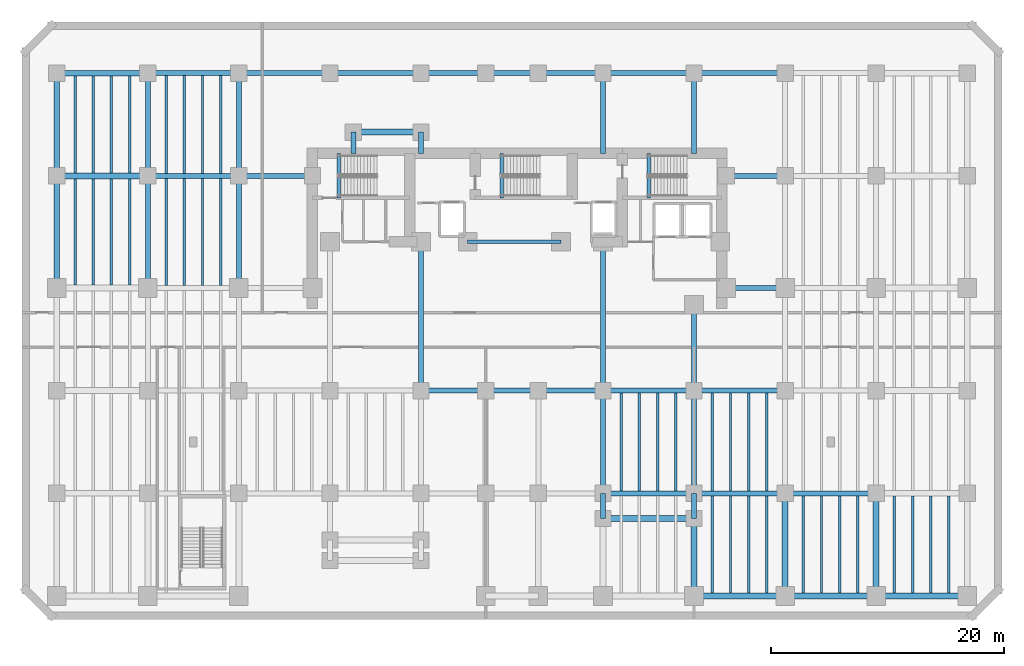
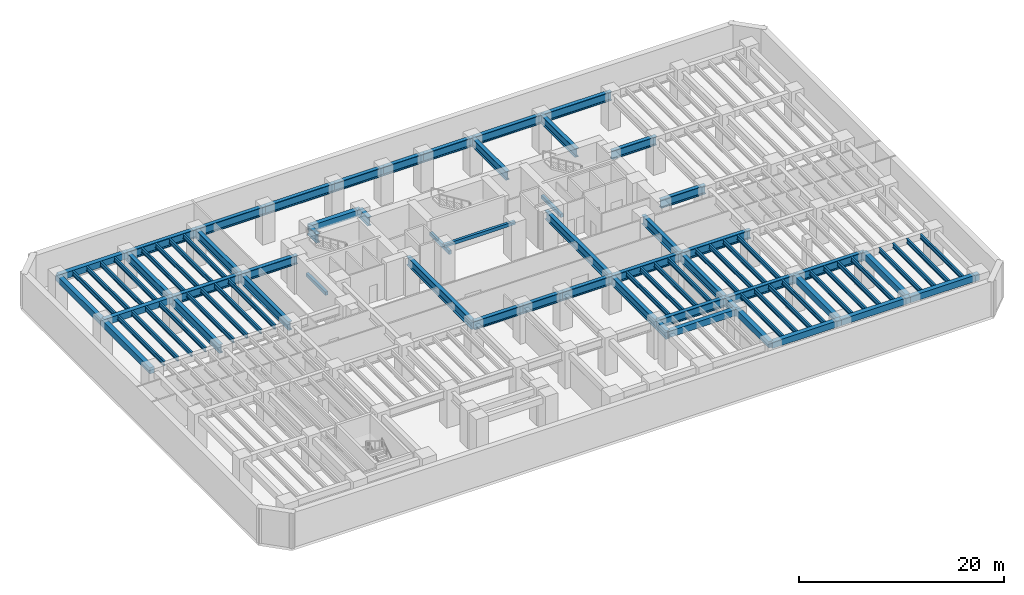
# One storey, part 2 of 9: 87 beams.
"""IFC4 building model written with IfcOpenShell, lengths in metres."""

from ifc_helpers import new_model, si_unit, direction, frame, origin, origin_2d, place, context, subcontext, project, spatial, rectangle, i_section, extrude, material, material_profile, profile_set, type_object, element, save


model = new_model("IFC4")

# Units and contexts
model_context = context("Model", 3, precision=1e-05, world=origin(), true_north=direction((0.0, 1.0)))
body_context = subcontext(model_context, "Body", "Model", "MODEL_VIEW")
ifc_project = project(units=[si_unit("LENGTHUNIT", "METRE"), si_unit("AREAUNIT", "SQUARE_METRE"), si_unit("VOLUMEUNIT", "CUBIC_METRE"), si_unit("PLANEANGLEUNIT", "RADIAN"), si_unit("MASSUNIT", "GRAM", prefix="KILO")], contexts=[model_context])

# Site, building, storey
site_placement = place(None, origin())
site = spatial("IfcSite", under=ifc_project, at=site_placement, CompositionType="ELEMENT")
building_placement = place(site_placement, origin())
building = spatial("IfcBuilding", under=site, at=building_placement, Name="Kestravale Grand Hotel", CompositionType="ELEMENT")
storey_placement = place(building_placement, frame((0.0, 0.0, -4.5)))
storey = spatial("IfcBuildingStorey", under=building, at=storey_placement, Name="B1", CompositionType="ELEMENT", Elevation=-4.5)

# Beams
ifc_material_1 = material(Name="Steel ASTM A992 Grade 50", Category="steel")
ifc_material_profile_1 = material_profile(ifc_material_1, i_section(OverallWidth=0.2099609375, OverallDepth=0.535888671875, WebThickness=0.010986328125, FlangeThickness=0.017333984375, FilletRadius=0.017578125, at=origin_2d()))
ifc_profile_set_1 = profile_set([ifc_material_profile_1], Name="Steel ASTM A992 Grade 50")
beam_type_1 = type_object("IfcBeamType", Name="B-FLR-JST21", PredefinedType="JOIST", material=ifc_profile_set_1)
for number, where, z_axis, x_axis, name in (
    (1, (1.56005859375, 29.050048828125, 3.882080078125), (0.0, 1.0, 0.0), (-1.0, 0.0, 0.0), "B1 floor joist 1-2/E-F #1"),
    (2, (3.1201171875, 29.050048828125, 3.882080078125), (0.0, 1.0, 0.0), (-1.0, 0.0, 0.0), "B1 floor joist 1-2/E-F #2"),
    (3, (4.679931640625, 29.050048828125, 3.882080078125), (0.0, 1.0, 0.0), (-1.0, 0.0, 0.0), "B1 floor joist 1-2/E-F #3"),
    (4, (6.239990234375, 29.050048828125, 3.882080078125), (0.0, 1.0, 0.0), (-1.0, 0.0, 0.0), "B1 floor joist 1-2/E-F #4"),
):
    element("IfcBeam", number, at=place(storey_placement, frame(where, z_axis=z_axis, x_axis=x_axis)), inside=storey, type_object=beam_type_1, Name=name, PredefinedType="JOIST", context=body_context, shape_type="SweptSolid", body=[
        extrude(i_section(OverallWidth=0.2099609375, OverallDepth=0.535888671875, WebThickness=0.010986328125, FlangeThickness=0.017333984375, FilletRadius=0.017578125, at=origin_2d()), origin(), (0.0, 0.0, 1.0), 9.099853515625),
    ])
for number, where, z_axis, x_axis, name in (
    (5, (1.56005859375, 38.64990234375, 3.882080078125), (0.0, 1.0, 0.0), (-1.0, 0.0, 0.0), "B1 floor joist 1-2/F-G #1"),
    (6, (3.1201171875, 38.64990234375, 3.882080078125), (0.0, 1.0, 0.0), (-1.0, 0.0, 0.0), "B1 floor joist 1-2/F-G #2"),
    (7, (4.679931640625, 38.64990234375, 3.882080078125), (0.0, 1.0, 0.0), (-1.0, 0.0, 0.0), "B1 floor joist 1-2/F-G #3"),
    (8, (6.239990234375, 38.64990234375, 3.882080078125), (0.0, 1.0, 0.0), (-1.0, 0.0, 0.0), "B1 floor joist 1-2/F-G #4"),
):
    element("IfcBeam", number, at=place(storey_placement, frame(where, z_axis=z_axis, x_axis=x_axis)), inside=storey, type_object=beam_type_1, Name=name, PredefinedType="JOIST", context=body_context, shape_type="SweptSolid", body=[
        extrude(i_section(OverallWidth=0.2099609375, OverallDepth=0.535888671875, WebThickness=0.010986328125, FlangeThickness=0.017333984375, FilletRadius=0.017578125, at=origin_2d()), origin(), (0.0, 0.0, 1.0), 8.300048828125),
    ])
for number, where, z_axis, x_axis, name in (
    (9, (9.360107421875, 29.013427734375, 3.882080078125), (0.0, 1.0, 0.0), (-1.0, 0.0, 0.0), "B1 floor joist 2-3/E-F #1"),
    (10, (10.919921875, 29.013427734375, 3.882080078125), (0.0, 1.0, 0.0), (-1.0, 0.0, 0.0), "B1 floor joist 2-3/E-F #2"),
    (11, (12.47998046875, 29.013427734375, 3.882080078125), (0.0, 1.0, 0.0), (-1.0, 0.0, 0.0), "B1 floor joist 2-3/E-F #3"),
    (12, (14.0400390625, 29.013427734375, 3.882080078125), (0.0, 1.0, 0.0), (-1.0, 0.0, 0.0), "B1 floor joist 2-3/E-F #4"),
):
    element("IfcBeam", number, at=place(storey_placement, frame(where, z_axis=z_axis, x_axis=x_axis)), inside=storey, type_object=beam_type_1, Name=name, PredefinedType="JOIST", context=body_context, shape_type="SweptSolid", body=[
        extrude(i_section(OverallWidth=0.2099609375, OverallDepth=0.535888671875, WebThickness=0.010986328125, FlangeThickness=0.017333984375, FilletRadius=0.017578125, at=origin_2d()), origin(), (0.0, 0.0, 1.0), 9.173095703125),
    ])
for number, where, z_axis, x_axis, name in (
    (13, (9.360107421875, 38.613525390625, 3.882080078125), (0.0, 1.0, 0.0), (-1.0, 0.0, 0.0), "B1 floor joist 2-3/F-G #1"),
    (14, (10.919921875, 38.613525390625, 3.882080078125), (0.0, 1.0, 0.0), (-1.0, 0.0, 0.0), "B1 floor joist 2-3/F-G #2"),
    (15, (12.47998046875, 38.613525390625, 3.882080078125), (0.0, 1.0, 0.0), (-1.0, 0.0, 0.0), "B1 floor joist 2-3/F-G #3"),
    (16, (14.0400390625, 38.613525390625, 3.882080078125), (0.0, 1.0, 0.0), (-1.0, 0.0, 0.0), "B1 floor joist 2-3/F-G #4"),
    (17, (48.360107421875, 11.41357421875, 3.882080078125), (0.0, 1.0, 0.0), (-1.0, 0.0, 0.0), "B1 floor joist 8-9/C-D #1"),
    (18, (49.919921875, 11.41357421875, 3.882080078125), (0.0, 1.0, 0.0), (-1.0, 0.0, 0.0), "B1 floor joist 8-9/C-D #2"),
    (19, (51.47998046875, 11.41357421875, 3.882080078125), (0.0, 1.0, 0.0), (-1.0, 0.0, 0.0), "B1 floor joist 8-9/C-D #3"),
    (20, (53.0400390625, 11.41357421875, 3.882080078125), (0.0, 1.0, 0.0), (-1.0, 0.0, 0.0), "B1 floor joist 8-9/C-D #4"),
):
    element("IfcBeam", number, at=place(storey_placement, frame(where, z_axis=z_axis, x_axis=x_axis)), inside=storey, type_object=beam_type_1, Name=name, PredefinedType="JOIST", context=body_context, shape_type="SweptSolid", body=[
        extrude(i_section(OverallWidth=0.2099609375, OverallDepth=0.535888671875, WebThickness=0.010986328125, FlangeThickness=0.017333984375, FilletRadius=0.017578125, at=origin_2d()), origin(), (0.0, 0.0, 1.0), 8.373046875),
    ])
for number, where, z_axis, x_axis, name in (
    (21, (56.159912109375, 2.64990234375, 3.882080078125), (0.0, 1.0, 0.0), (-1.0, 0.0, 0.0), "B1 floor joist 9-10/B-C #1"),
    (22, (57.719970703125, 2.64990234375, 3.882080078125), (0.0, 1.0, 0.0), (-1.0, 0.0, 0.0), "B1 floor joist 9-10/B-C #2"),
    (23, (59.280029296875, 2.64990234375, 3.882080078125), (0.0, 1.0, 0.0), (-1.0, 0.0, 0.0), "B1 floor joist 9-10/B-C #3"),
    (24, (60.840087890625, 2.64990234375, 3.882080078125), (0.0, 1.0, 0.0), (-1.0, 0.0, 0.0), "B1 floor joist 9-10/B-C #4"),
):
    element("IfcBeam", number, at=place(storey_placement, frame(where, z_axis=z_axis, x_axis=x_axis)), inside=storey, type_object=beam_type_1, Name=name, PredefinedType="JOIST", context=body_context, shape_type="SweptSolid", body=[
        extrude(i_section(OverallWidth=0.2099609375, OverallDepth=0.535888671875, WebThickness=0.010986328125, FlangeThickness=0.017333984375, FilletRadius=0.017578125, at=origin_2d()), origin(), (0.0, 0.0, 1.0), 8.336669921875),
    ])
for number, where, z_axis, x_axis, name in (
    (25, (56.159912109375, 11.41357421875, 3.882080078125), (0.0, 1.0, 0.0), (-1.0, 0.0, 0.0), "B1 floor joist 9-10/C-D #1"),
    (26, (57.719970703125, 11.41357421875, 3.882080078125), (0.0, 1.0, 0.0), (-1.0, 0.0, 0.0), "B1 floor joist 9-10/C-D #2"),
    (27, (59.280029296875, 11.41357421875, 3.882080078125), (0.0, 1.0, 0.0), (-1.0, 0.0, 0.0), "B1 floor joist 9-10/C-D #3"),
    (28, (60.840087890625, 11.41357421875, 3.882080078125), (0.0, 1.0, 0.0), (-1.0, 0.0, 0.0), "B1 floor joist 9-10/C-D #4"),
):
    element("IfcBeam", number, at=place(storey_placement, frame(where, z_axis=z_axis, x_axis=x_axis)), inside=storey, type_object=beam_type_1, Name=name, PredefinedType="JOIST", context=body_context, shape_type="SweptSolid", body=[
        extrude(i_section(OverallWidth=0.2099609375, OverallDepth=0.535888671875, WebThickness=0.010986328125, FlangeThickness=0.017333984375, FilletRadius=0.017578125, at=origin_2d()), origin(), (0.0, 0.0, 1.0), 8.373046875),
    ])
for number, where, z_axis, x_axis, name in (
    (29, (63.9599609375, 2.64990234375, 3.882080078125), (0.0, 1.0, 0.0), (-1.0, 0.0, 0.0), "B1 floor joist 10-11/B-C #1"),
    (30, (65.52001953125, 2.64990234375, 3.882080078125), (0.0, 1.0, 0.0), (-1.0, 0.0, 0.0), "B1 floor joist 10-11/B-C #2"),
    (31, (67.080078125, 2.64990234375, 3.882080078125), (0.0, 1.0, 0.0), (-1.0, 0.0, 0.0), "B1 floor joist 10-11/B-C #3"),
    (32, (68.639892578125, 2.64990234375, 3.882080078125), (0.0, 1.0, 0.0), (-1.0, 0.0, 0.0), "B1 floor joist 10-11/B-C #4"),
):
    element("IfcBeam", number, at=place(storey_placement, frame(where, z_axis=z_axis, x_axis=x_axis)), inside=storey, type_object=beam_type_1, Name=name, PredefinedType="JOIST", context=body_context, shape_type="SweptSolid", body=[
        extrude(i_section(OverallWidth=0.2099609375, OverallDepth=0.535888671875, WebThickness=0.010986328125, FlangeThickness=0.017333984375, FilletRadius=0.017578125, at=origin_2d()), origin(), (0.0, 0.0, 1.0), 8.336669921875),
    ])
for number, where, z_axis, x_axis, name in (
    (33, (71.760009765625, 2.64990234375, 3.882080078125), (0.0, 1.0, 0.0), (-1.0, 0.0, 0.0), "B1 floor joist 11-12/B-C #1"),
    (34, (73.320068359375, 2.64990234375, 3.882080078125), (0.0, 1.0, 0.0), (-1.0, 0.0, 0.0), "B1 floor joist 11-12/B-C #2"),
    (35, (74.8798828125, 2.64990234375, 3.882080078125), (0.0, 1.0, 0.0), (-1.0, 0.0, 0.0), "B1 floor joist 11-12/B-C #3"),
    (36, (76.43994140625, 2.64990234375, 3.882080078125), (0.0, 1.0, 0.0), (-1.0, 0.0, 0.0), "B1 floor joist 11-12/B-C #4"),
):
    element("IfcBeam", number, at=place(storey_placement, frame(where, z_axis=z_axis, x_axis=x_axis)), inside=storey, type_object=beam_type_1, Name=name, PredefinedType="JOIST", context=body_context, shape_type="SweptSolid", body=[
        extrude(i_section(OverallWidth=0.2099609375, OverallDepth=0.535888671875, WebThickness=0.010986328125, FlangeThickness=0.017333984375, FilletRadius=0.017578125, at=origin_2d()), origin(), (0.0, 0.0, 1.0), 8.300048828125),
    ])
ifc_material_2 = material(Name="Concrete f'c 45 MPa", Category="concrete")
ifc_material_profile_2 = material_profile(ifc_material_2, rectangle(XDim=0.300048828125, YDim=0.39990234375, at=origin_2d()))
ifc_profile_set_2 = profile_set([ifc_material_profile_2], Name="Concrete f'c 45 MPa")
beam_type_2 = type_object("IfcBeamType", Name="B-FLR-LNT400", PredefinedType="LINTEL", material=ifc_profile_set_2)
beam_1_placement = place(storey_placement, frame((35.199951171875, 32.75, 3.949951171875), z_axis=(1.0, 0.0, 0.0), x_axis=(0.0, 1.0, 0.0)))
element("IfcBeam", 37, at=beam_1_placement, inside=storey, type_object=beam_type_2, Name="B1 core portal header lintel", PredefinedType="LINTEL", context=body_context, shape_type="SweptSolid", body=[
    extrude(rectangle(XDim=0.300048828125, YDim=0.39990234375, at=origin_2d()), origin(), (0.0, 0.0, 1.0), 8.0),
])
for number, where, z_axis, x_axis, name in (
    (38, (24.159912109375, 36.52001953125, -0.199951171875), (0.0, 1.0, 0.0), (-1.0, 0.0, 0.0), "B1 ST1 flight bottom header beam"),
    (39, (38.110107421875, 36.52001953125, -0.199951171875), (0.0, 1.0, 0.0), (-1.0, 0.0, 0.0), "B1 ST2 flight bottom header beam"),
    (40, (50.7099609375, 36.52001953125, -0.199951171875), (0.0, 1.0, 0.0), (-1.0, 0.0, 0.0), "B1 ST3 flight bottom header beam"),
):
    element("IfcBeam", number, at=place(storey_placement, frame(where, z_axis=z_axis, x_axis=x_axis)), inside=storey, type_object=beam_type_2, Name=name, PredefinedType="LINTEL", context=body_context, shape_type="SweptSolid", body=[
        extrude(rectangle(XDim=0.300048828125, YDim=0.39990234375, at=origin_2d()), origin(), (0.0, 0.0, 1.0), 3.800048828125),
    ])
ifc_material_3 = material(Name="Concrete f'c 45 MPa", Category="concrete")
ifc_material_profile_3 = material_profile(ifc_material_3, rectangle(XDim=0.5, YDim=0.75, at=origin_2d()))
ifc_profile_set_3 = profile_set([ifc_material_profile_3], Name="Concrete f'c 45 MPa")
beam_type_3 = type_object("IfcBeamType", Name="B-FLR-RC750", PredefinedType="SPANDREL", material=ifc_profile_set_3)
beam_2_placement = place(storey_placement, frame((54.60009765625, 2.39990234375, 3.77490234375), z_axis=(1.0, 0.0, 0.0), x_axis=(0.0, 1.0, 0.0)))
element("IfcBeam", 41, at=beam_2_placement, inside=storey, type_object=beam_type_3, Name="B1 spandrel B:9-10", PredefinedType="SPANDREL", context=body_context, shape_type="SweptSolid", body=[
    extrude(rectangle(XDim=0.5, YDim=0.75, at=origin_2d()), origin(), (0.0, 0.0, 1.0), 7.7998046875),
])
for number, where, z_axis, x_axis, name in (
    (42, (62.39990234375, 2.39990234375, 3.77490234375), (1.0, 0.0, 0.0), (0.0, 1.0, 0.0), "B1 spandrel B:10-11"),
    (43, (70.199951171875, 2.39990234375, 3.77490234375), (1.0, 0.0, 0.0), (0.0, 1.0, 0.0), "B1 spandrel B:11-12"),
    (44, (0.0, 38.39990234375, 3.77490234375), (1.0, 0.0, 0.0), (0.0, 1.0, 0.0), "B1 spandrel F:1-2"),
    (45, (0.0, 47.199951171875, 3.77490234375), (1.0, 0.0, 0.0), (0.0, 1.0, 0.0), "B1 spandrel G:1-2"),
    (46, (46.800048828125, 9.050048828125, 3.77490234375), (1.0, 0.0, 0.0), (0.0, 1.0, 0.0), "B1 perimeter tie spandrel B1E:8-9"),
):
    element("IfcBeam", number, at=place(storey_placement, frame(where, z_axis=z_axis, x_axis=x_axis)), inside=storey, type_object=beam_type_3, Name=name, PredefinedType="SPANDREL", context=body_context, shape_type="SweptSolid", body=[
        extrude(rectangle(XDim=0.5, YDim=0.75, at=origin_2d()), origin(), (0.0, 0.0, 1.0), 7.800048828125),
    ])
beam_3_placement = place(storey_placement, frame((25.39990234375, 42.14990234375, 3.77490234375), z_axis=(1.0, 0.0, 0.0), x_axis=(0.0, 1.0, 0.0)))
element("IfcBeam", 47, at=beam_3_placement, inside=storey, type_object=beam_type_3, Name="B1 perimeter tie spandrel FN:4-5", PredefinedType="SPANDREL", context=body_context, shape_type="SweptSolid", body=[
    extrude(rectangle(XDim=0.5, YDim=0.75, at=origin_2d()), origin(), (0.0, 0.0, 1.0), 5.800048828125),
])
beam_4_placement = place(storey_placement, frame((0.0, 28.800048828125, 3.77490234375), z_axis=(0.0, 1.0, 0.0), x_axis=(-1.0, 0.0, 0.0)))
element("IfcBeam", 48, at=beam_4_placement, inside=storey, type_object=beam_type_3, Name="B1 spandrel 1:E-F", PredefinedType="SPANDREL", context=body_context, shape_type="SweptSolid", body=[
    extrude(rectangle(XDim=0.5, YDim=0.75, at=origin_2d()), origin(), (0.0, 0.0, 1.0), 9.599853515625),
])
beam_5_placement = place(storey_placement, frame((0.0, 38.39990234375, 3.77490234375), z_axis=(0.0, 1.0, 0.0), x_axis=(-1.0, 0.0, 0.0)))
element("IfcBeam", 49, at=beam_5_placement, inside=storey, type_object=beam_type_3, Name="B1 spandrel 1:F-G", PredefinedType="SPANDREL", context=body_context, shape_type="SweptSolid", body=[
    extrude(rectangle(XDim=0.5, YDim=0.75, at=origin_2d()), origin(), (0.0, 0.0, 1.0), 8.800048828125),
])
beam_6_placement = place(storey_placement, frame((54.60009765625, 2.39990234375, 3.77490234375), z_axis=(0.0, 1.0, 0.0), x_axis=(-1.0, 0.0, 0.0)))
element("IfcBeam", 50, at=beam_6_placement, inside=storey, type_object=beam_type_3, Name="B1 spandrel 9:B-B1E", PredefinedType="SPANDREL", context=body_context, shape_type="SweptSolid", body=[
    extrude(rectangle(XDim=0.5, YDim=0.75, at=origin_2d()), origin(), (0.0, 0.0, 1.0), 6.650146484375),
])
for number, where, z_axis, x_axis, name in (
    (51, (62.39990234375, 2.39990234375, 3.77490234375), (0.0, 1.0, 0.0), (-1.0, 0.0, 0.0), "B1 spandrel 10:B-C"),
    (52, (70.199951171875, 2.39990234375, 3.77490234375), (0.0, 1.0, 0.0), (-1.0, 0.0, 0.0), "B1 spandrel 11:B-C"),
):
    element("IfcBeam", number, at=place(storey_placement, frame(where, z_axis=z_axis, x_axis=x_axis)), inside=storey, type_object=beam_type_3, Name=name, PredefinedType="SPANDREL", context=body_context, shape_type="SweptSolid", body=[
        extrude(rectangle(XDim=0.5, YDim=0.75, at=origin_2d()), origin(), (0.0, 0.0, 1.0), 8.800048828125),
    ])
ifc_material_4 = material(Name="Steel ASTM A992 Grade 50", Category="steel")
ifc_material_profile_4 = material_profile(ifc_material_4, i_section(OverallWidth=0.427001953125, OverallDepth=1.0400390625, WebThickness=0.031005859375, FlangeThickness=0.055908203125, FilletRadius=0.028076171875, at=origin_2d()))
ifc_profile_set_4 = profile_set([ifc_material_profile_4], Name="Steel ASTM A992 Grade 50")
beam_type_4 = type_object("IfcBeamType", Name="B-GRD-W40", PredefinedType="BEAM", material=ifc_profile_set_4)
beam_7_placement = place(storey_placement, frame((46.800048828125, 11.199951171875, 3.6298828125), z_axis=(1.0, 0.0, 0.0), x_axis=(0.0, 1.0, 0.0)))
element("IfcBeam", 53, at=beam_7_placement, inside=storey, type_object=beam_type_4, Name="B1 girder C:8-9", PredefinedType="BEAM", context=body_context, shape_type="SweptSolid", body=[
    extrude(i_section(OverallWidth=0.427001953125, OverallDepth=1.0400390625, WebThickness=0.031005859375, FlangeThickness=0.055908203125, FilletRadius=0.028076171875, at=origin_2d()), origin(), (0.0, 0.0, 1.0), 7.800048828125),
])
beam_8_placement = place(storey_placement, frame((54.60009765625, 11.199951171875, 3.6298828125), z_axis=(1.0, 0.0, 0.0), x_axis=(0.0, 1.0, 0.0)))
element("IfcBeam", 54, at=beam_8_placement, inside=storey, type_object=beam_type_4, Name="B1 girder C:9-10", PredefinedType="BEAM", context=body_context, shape_type="SweptSolid", body=[
    extrude(i_section(OverallWidth=0.427001953125, OverallDepth=1.0400390625, WebThickness=0.031005859375, FlangeThickness=0.055908203125, FilletRadius=0.028076171875, at=origin_2d()), origin(), (0.0, 0.0, 1.0), 7.7998046875),
])
beam_9_placement = place(storey_placement, frame((62.39990234375, 11.199951171875, 3.6298828125), z_axis=(1.0, 0.0, 0.0), x_axis=(0.0, 1.0, 0.0)))
element("IfcBeam", 55, at=beam_9_placement, inside=storey, type_object=beam_type_4, Name="B1 girder C:10-11", PredefinedType="BEAM", context=body_context, shape_type="SweptSolid", body=[
    extrude(i_section(OverallWidth=0.427001953125, OverallDepth=1.0400390625, WebThickness=0.031005859375, FlangeThickness=0.055908203125, FilletRadius=0.028076171875, at=origin_2d()), origin(), (0.0, 0.0, 1.0), 7.800048828125),
])
beam_10_placement = place(storey_placement, frame((31.199951171875, 20.0, 3.6298828125), z_axis=(1.0, 0.0, 0.0), x_axis=(0.0, 1.0, 0.0)))
element("IfcBeam", 56, at=beam_10_placement, inside=storey, type_object=beam_type_4, Name="B1 girder D:5-6", PredefinedType="BEAM", context=body_context, shape_type="SweptSolid", body=[
    extrude(i_section(OverallWidth=0.427001953125, OverallDepth=1.0400390625, WebThickness=0.031005859375, FlangeThickness=0.055908203125, FilletRadius=0.028076171875, at=origin_2d()), origin(), (0.0, 0.0, 1.0), 5.550048828125),
])
beam_11_placement = place(storey_placement, frame((36.75, 20.0, 3.6298828125), z_axis=(1.0, 0.0, 0.0), x_axis=(0.0, 1.0, 0.0)))
element("IfcBeam", 57, at=beam_11_placement, inside=storey, type_object=beam_type_4, Name="B1 girder D:6-7", PredefinedType="BEAM", context=body_context, shape_type="SweptSolid", body=[
    extrude(i_section(OverallWidth=0.427001953125, OverallDepth=1.0400390625, WebThickness=0.031005859375, FlangeThickness=0.055908203125, FilletRadius=0.028076171875, at=origin_2d()), origin(), (0.0, 0.0, 1.0), 4.5),
])
beam_12_placement = place(storey_placement, frame((41.25, 20.0, 3.6298828125), z_axis=(1.0, 0.0, 0.0), x_axis=(0.0, 1.0, 0.0)))
element("IfcBeam", 58, at=beam_12_placement, inside=storey, type_object=beam_type_4, Name="B1 girder D:7-8", PredefinedType="BEAM", context=body_context, shape_type="SweptSolid", body=[
    extrude(i_section(OverallWidth=0.427001953125, OverallDepth=1.0400390625, WebThickness=0.031005859375, FlangeThickness=0.055908203125, FilletRadius=0.028076171875, at=origin_2d()), origin(), (0.0, 0.0, 1.0), 5.550048828125),
])
beam_13_placement = place(storey_placement, frame((46.800048828125, 20.0, 3.6298828125), z_axis=(1.0, 0.0, 0.0), x_axis=(0.0, 1.0, 0.0)))
element("IfcBeam", 59, at=beam_13_placement, inside=storey, type_object=beam_type_4, Name="B1 girder D:8-9", PredefinedType="BEAM", context=body_context, shape_type="SweptSolid", body=[
    extrude(i_section(OverallWidth=0.427001953125, OverallDepth=1.0400390625, WebThickness=0.031005859375, FlangeThickness=0.055908203125, FilletRadius=0.028076171875, at=origin_2d()), origin(), (0.0, 0.0, 1.0), 7.800048828125),
])
beam_14_placement = place(storey_placement, frame((54.60009765625, 20.0, 3.6298828125), z_axis=(1.0, 0.0, 0.0), x_axis=(0.0, 1.0, 0.0)))
element("IfcBeam", 60, at=beam_14_placement, inside=storey, type_object=beam_type_4, Name="B1 girder D:9-10", PredefinedType="BEAM", context=body_context, shape_type="SweptSolid", body=[
    extrude(i_section(OverallWidth=0.427001953125, OverallDepth=1.0400390625, WebThickness=0.031005859375, FlangeThickness=0.055908203125, FilletRadius=0.028076171875, at=origin_2d()), origin(), (0.0, 0.0, 1.0), 7.7998046875),
])
beam_15_placement = place(storey_placement, frame((57.35009765625, 28.800048828125, 3.6298828125), z_axis=(1.0, 0.0, 0.0), x_axis=(0.0, 1.0, 0.0)))
element("IfcBeam", 61, at=beam_15_placement, inside=storey, type_object=beam_type_4, Name="B1 girder E:CE-10", PredefinedType="BEAM", context=body_context, shape_type="SweptSolid", body=[
    extrude(i_section(OverallWidth=0.427001953125, OverallDepth=1.0400390625, WebThickness=0.031005859375, FlangeThickness=0.055908203125, FilletRadius=0.028076171875, at=origin_2d()), origin(), (0.0, 0.0, 1.0), 5.0498046875),
])
beam_16_placement = place(storey_placement, frame((7.800048828125, 38.39990234375, 3.6298828125), z_axis=(1.0, 0.0, 0.0), x_axis=(0.0, 1.0, 0.0)))
element("IfcBeam", 62, at=beam_16_placement, inside=storey, type_object=beam_type_4, Name="B1 girder F:2-3", PredefinedType="BEAM", context=body_context, shape_type="SweptSolid", body=[
    extrude(i_section(OverallWidth=0.427001953125, OverallDepth=1.0400390625, WebThickness=0.031005859375, FlangeThickness=0.055908203125, FilletRadius=0.028076171875, at=origin_2d()), origin(), (0.0, 0.0, 1.0), 7.800048828125),
])
beam_17_placement = place(storey_placement, frame((15.60009765625, 38.39990234375, 3.6298828125), z_axis=(1.0, 0.0, 0.0), x_axis=(0.0, 1.0, 0.0)))
element("IfcBeam", 63, at=beam_17_placement, inside=storey, type_object=beam_type_4, Name="B1 girder F:3-CW", PredefinedType="BEAM", context=body_context, shape_type="SweptSolid", body=[
    extrude(i_section(OverallWidth=0.427001953125, OverallDepth=1.0400390625, WebThickness=0.031005859375, FlangeThickness=0.055908203125, FilletRadius=0.028076171875, at=origin_2d()), origin(), (0.0, 0.0, 1.0), 6.2998046875),
])
beam_18_placement = place(storey_placement, frame((57.35009765625, 38.39990234375, 3.6298828125), z_axis=(1.0, 0.0, 0.0), x_axis=(0.0, 1.0, 0.0)))
element("IfcBeam", 64, at=beam_18_placement, inside=storey, type_object=beam_type_4, Name="B1 girder F:CE-10", PredefinedType="BEAM", context=body_context, shape_type="SweptSolid", body=[
    extrude(i_section(OverallWidth=0.427001953125, OverallDepth=1.0400390625, WebThickness=0.031005859375, FlangeThickness=0.055908203125, FilletRadius=0.028076171875, at=origin_2d()), origin(), (0.0, 0.0, 1.0), 5.0498046875),
])
beam_19_placement = place(storey_placement, frame((7.800048828125, 47.199951171875, 3.6298828125), z_axis=(1.0, 0.0, 0.0), x_axis=(0.0, 1.0, 0.0)))
element("IfcBeam", 65, at=beam_19_placement, inside=storey, type_object=beam_type_4, Name="B1 girder G:2-3", PredefinedType="BEAM", context=body_context, shape_type="SweptSolid", body=[
    extrude(i_section(OverallWidth=0.427001953125, OverallDepth=1.0400390625, WebThickness=0.031005859375, FlangeThickness=0.055908203125, FilletRadius=0.028076171875, at=origin_2d()), origin(), (0.0, 0.0, 1.0), 7.800048828125),
])
beam_20_placement = place(storey_placement, frame((15.60009765625, 47.199951171875, 3.6298828125), z_axis=(1.0, 0.0, 0.0), x_axis=(0.0, 1.0, 0.0)))
element("IfcBeam", 66, at=beam_20_placement, inside=storey, type_object=beam_type_4, Name="B1 girder G:3-4", PredefinedType="BEAM", context=body_context, shape_type="SweptSolid", body=[
    extrude(i_section(OverallWidth=0.427001953125, OverallDepth=1.0400390625, WebThickness=0.031005859375, FlangeThickness=0.055908203125, FilletRadius=0.028076171875, at=origin_2d()), origin(), (0.0, 0.0, 1.0), 7.7998046875),
])
beam_21_placement = place(storey_placement, frame((23.39990234375, 47.199951171875, 3.6298828125), z_axis=(1.0, 0.0, 0.0), x_axis=(0.0, 1.0, 0.0)))
element("IfcBeam", 67, at=beam_21_placement, inside=storey, type_object=beam_type_4, Name="B1 girder G:4-5", PredefinedType="BEAM", context=body_context, shape_type="SweptSolid", body=[
    extrude(i_section(OverallWidth=0.427001953125, OverallDepth=1.0400390625, WebThickness=0.031005859375, FlangeThickness=0.055908203125, FilletRadius=0.028076171875, at=origin_2d()), origin(), (0.0, 0.0, 1.0), 7.800048828125),
])
beam_22_placement = place(storey_placement, frame((31.199951171875, 47.199951171875, 3.6298828125), z_axis=(1.0, 0.0, 0.0), x_axis=(0.0, 1.0, 0.0)))
element("IfcBeam", 68, at=beam_22_placement, inside=storey, type_object=beam_type_4, Name="B1 girder G:5-6", PredefinedType="BEAM", context=body_context, shape_type="SweptSolid", body=[
    extrude(i_section(OverallWidth=0.427001953125, OverallDepth=1.0400390625, WebThickness=0.031005859375, FlangeThickness=0.055908203125, FilletRadius=0.028076171875, at=origin_2d()), origin(), (0.0, 0.0, 1.0), 5.550048828125),
])
beam_23_placement = place(storey_placement, frame((36.75, 47.199951171875, 3.6298828125), z_axis=(1.0, 0.0, 0.0), x_axis=(0.0, 1.0, 0.0)))
element("IfcBeam", 69, at=beam_23_placement, inside=storey, type_object=beam_type_4, Name="B1 girder G:6-7", PredefinedType="BEAM", context=body_context, shape_type="SweptSolid", body=[
    extrude(i_section(OverallWidth=0.427001953125, OverallDepth=1.0400390625, WebThickness=0.031005859375, FlangeThickness=0.055908203125, FilletRadius=0.028076171875, at=origin_2d()), origin(), (0.0, 0.0, 1.0), 4.5),
])
beam_24_placement = place(storey_placement, frame((41.25, 47.199951171875, 3.6298828125), z_axis=(1.0, 0.0, 0.0), x_axis=(0.0, 1.0, 0.0)))
element("IfcBeam", 70, at=beam_24_placement, inside=storey, type_object=beam_type_4, Name="B1 girder G:7-8", PredefinedType="BEAM", context=body_context, shape_type="SweptSolid", body=[
    extrude(i_section(OverallWidth=0.427001953125, OverallDepth=1.0400390625, WebThickness=0.031005859375, FlangeThickness=0.055908203125, FilletRadius=0.028076171875, at=origin_2d()), origin(), (0.0, 0.0, 1.0), 5.550048828125),
])
beam_25_placement = place(storey_placement, frame((46.800048828125, 47.199951171875, 3.6298828125), z_axis=(1.0, 0.0, 0.0), x_axis=(0.0, 1.0, 0.0)))
element("IfcBeam", 71, at=beam_25_placement, inside=storey, type_object=beam_type_4, Name="B1 girder G:8-9", PredefinedType="BEAM", context=body_context, shape_type="SweptSolid", body=[
    extrude(i_section(OverallWidth=0.427001953125, OverallDepth=1.0400390625, WebThickness=0.031005859375, FlangeThickness=0.055908203125, FilletRadius=0.028076171875, at=origin_2d()), origin(), (0.0, 0.0, 1.0), 7.800048828125),
])
beam_26_placement = place(storey_placement, frame((54.60009765625, 47.199951171875, 3.6298828125), z_axis=(1.0, 0.0, 0.0), x_axis=(0.0, 1.0, 0.0)))
element("IfcBeam", 72, at=beam_26_placement, inside=storey, type_object=beam_type_4, Name="B1 girder G:9-10", PredefinedType="BEAM", context=body_context, shape_type="SweptSolid", body=[
    extrude(i_section(OverallWidth=0.427001953125, OverallDepth=1.0400390625, WebThickness=0.031005859375, FlangeThickness=0.055908203125, FilletRadius=0.028076171875, at=origin_2d()), origin(), (0.0, 0.0, 1.0), 7.7998046875),
])
beam_27_placement = place(storey_placement, frame((7.800048828125, 28.800048828125, 3.6298828125), z_axis=(0.0, 1.0, 0.0), x_axis=(-1.0, 0.0, 0.0)))
element("IfcBeam", 73, at=beam_27_placement, inside=storey, type_object=beam_type_4, Name="B1 girder 2:E-F", PredefinedType="BEAM", context=body_context, shape_type="SweptSolid", body=[
    extrude(i_section(OverallWidth=0.427001953125, OverallDepth=1.0400390625, WebThickness=0.031005859375, FlangeThickness=0.055908203125, FilletRadius=0.028076171875, at=origin_2d()), origin(), (0.0, 0.0, 1.0), 9.599853515625),
])
beam_28_placement = place(storey_placement, frame((7.800048828125, 38.39990234375, 3.6298828125), z_axis=(0.0, 1.0, 0.0), x_axis=(-1.0, 0.0, 0.0)))
element("IfcBeam", 74, at=beam_28_placement, inside=storey, type_object=beam_type_4, Name="B1 girder 2:F-G", PredefinedType="BEAM", context=body_context, shape_type="SweptSolid", body=[
    extrude(i_section(OverallWidth=0.427001953125, OverallDepth=1.0400390625, WebThickness=0.031005859375, FlangeThickness=0.055908203125, FilletRadius=0.028076171875, at=origin_2d()), origin(), (0.0, 0.0, 1.0), 8.800048828125),
])
beam_29_placement = place(storey_placement, frame((15.60009765625, 28.800048828125, 3.6298828125), z_axis=(0.0, 1.0, 0.0), x_axis=(-1.0, 0.0, 0.0)))
element("IfcBeam", 75, at=beam_29_placement, inside=storey, type_object=beam_type_4, Name="B1 girder 3:E-F", PredefinedType="BEAM", context=body_context, shape_type="SweptSolid", body=[
    extrude(i_section(OverallWidth=0.427001953125, OverallDepth=1.0400390625, WebThickness=0.031005859375, FlangeThickness=0.055908203125, FilletRadius=0.028076171875, at=origin_2d()), origin(), (0.0, 0.0, 1.0), 9.599853515625),
])
beam_30_placement = place(storey_placement, frame((15.60009765625, 38.39990234375, 3.6298828125), z_axis=(0.0, 1.0, 0.0), x_axis=(-1.0, 0.0, 0.0)))
element("IfcBeam", 76, at=beam_30_placement, inside=storey, type_object=beam_type_4, Name="B1 girder 3:F-G", PredefinedType="BEAM", context=body_context, shape_type="SweptSolid", body=[
    extrude(i_section(OverallWidth=0.427001953125, OverallDepth=1.0400390625, WebThickness=0.031005859375, FlangeThickness=0.055908203125, FilletRadius=0.028076171875, at=origin_2d()), origin(), (0.0, 0.0, 1.0), 8.800048828125),
])
beam_31_placement = place(storey_placement, frame((31.199951171875, 20.0, 3.6298828125), z_axis=(0.0, 1.0, 0.0), x_axis=(-1.0, 0.0, 0.0)))
element("IfcBeam", 77, at=beam_31_placement, inside=storey, type_object=beam_type_4, Name="B1 girder 5:D-CS", PredefinedType="BEAM", context=body_context, shape_type="SweptSolid", body=[
    extrude(i_section(OverallWidth=0.427001953125, OverallDepth=1.0400390625, WebThickness=0.031005859375, FlangeThickness=0.055908203125, FilletRadius=0.028076171875, at=origin_2d()), origin(), (0.0, 0.0, 1.0), 12.75),
])
beam_32_placement = place(storey_placement, frame((46.800048828125, 9.050048828125, 3.6298828125), z_axis=(0.0, 1.0, 0.0), x_axis=(-1.0, 0.0, 0.0)))
element("IfcBeam", 78, at=beam_32_placement, inside=storey, type_object=beam_type_4, Name="B1 girder 8:B1E-C", PredefinedType="BEAM", context=body_context, shape_type="SweptSolid", body=[
    extrude(i_section(OverallWidth=0.427001953125, OverallDepth=1.0400390625, WebThickness=0.031005859375, FlangeThickness=0.055908203125, FilletRadius=0.028076171875, at=origin_2d()), origin(), (0.0, 0.0, 1.0), 2.14990234375),
])
beam_33_placement = place(storey_placement, frame((46.800048828125, 11.199951171875, 3.6298828125), z_axis=(0.0, 1.0, 0.0), x_axis=(-1.0, 0.0, 0.0)))
element("IfcBeam", 79, at=beam_33_placement, inside=storey, type_object=beam_type_4, Name="B1 girder 8:C-D", PredefinedType="BEAM", context=body_context, shape_type="SweptSolid", body=[
    extrude(i_section(OverallWidth=0.427001953125, OverallDepth=1.0400390625, WebThickness=0.031005859375, FlangeThickness=0.055908203125, FilletRadius=0.028076171875, at=origin_2d()), origin(), (0.0, 0.0, 1.0), 8.800048828125),
])
beam_34_placement = place(storey_placement, frame((46.800048828125, 20.0, 3.6298828125), z_axis=(0.0, 1.0, 0.0), x_axis=(-1.0, 0.0, 0.0)))
element("IfcBeam", 80, at=beam_34_placement, inside=storey, type_object=beam_type_4, Name="B1 girder 8:D-CS", PredefinedType="BEAM", context=body_context, shape_type="SweptSolid", body=[
    extrude(i_section(OverallWidth=0.427001953125, OverallDepth=1.0400390625, WebThickness=0.031005859375, FlangeThickness=0.055908203125, FilletRadius=0.028076171875, at=origin_2d()), origin(), (0.0, 0.0, 1.0), 12.75),
])
beam_35_placement = place(storey_placement, frame((54.60009765625, 9.050048828125, 3.6298828125), z_axis=(0.0, 1.0, 0.0), x_axis=(-1.0, 0.0, 0.0)))
element("IfcBeam", 81, at=beam_35_placement, inside=storey, type_object=beam_type_4, Name="B1 girder 9:B1E-C", PredefinedType="BEAM", context=body_context, shape_type="SweptSolid", body=[
    extrude(i_section(OverallWidth=0.427001953125, OverallDepth=1.0400390625, WebThickness=0.031005859375, FlangeThickness=0.055908203125, FilletRadius=0.028076171875, at=origin_2d()), origin(), (0.0, 0.0, 1.0), 2.14990234375),
])
beam_36_placement = place(storey_placement, frame((54.60009765625, 11.199951171875, 3.6298828125), z_axis=(0.0, 1.0, 0.0), x_axis=(-1.0, 0.0, 0.0)))
element("IfcBeam", 82, at=beam_36_placement, inside=storey, type_object=beam_type_4, Name="B1 girder 9:C-D", PredefinedType="BEAM", context=body_context, shape_type="SweptSolid", body=[
    extrude(i_section(OverallWidth=0.427001953125, OverallDepth=1.0400390625, WebThickness=0.031005859375, FlangeThickness=0.055908203125, FilletRadius=0.028076171875, at=origin_2d()), origin(), (0.0, 0.0, 1.0), 8.800048828125),
])
beam_37_placement = place(storey_placement, frame((54.60009765625, 20.0, 3.6298828125), z_axis=(0.0, 1.0, 0.0), x_axis=(-1.0, 0.0, 0.0)))
element("IfcBeam", 83, at=beam_37_placement, inside=storey, type_object=beam_type_4, Name="B1 girder 9:D-CS", PredefinedType="BEAM", context=body_context, shape_type="SweptSolid", body=[
    extrude(i_section(OverallWidth=0.427001953125, OverallDepth=1.0400390625, WebThickness=0.031005859375, FlangeThickness=0.055908203125, FilletRadius=0.028076171875, at=origin_2d()), origin(), (0.0, 0.0, 1.0), 7.35009765625),
])
for number, where, z_axis, x_axis, name in (
    (84, (25.39990234375, 40.320068359375, 3.6298828125), (0.0, 1.0, 0.0), (-1.0, 0.0, 0.0), "B1 north wing tie girder 4:CN-FN"),
    (85, (31.199951171875, 40.320068359375, 3.6298828125), (0.0, 1.0, 0.0), (-1.0, 0.0, 0.0), "B1 north wing tie girder 5:CN-FN"),
):
    element("IfcBeam", number, at=place(storey_placement, frame(where, z_axis=z_axis, x_axis=x_axis)), inside=storey, type_object=beam_type_4, Name=name, PredefinedType="BEAM", context=body_context, shape_type="SweptSolid", body=[
        extrude(i_section(OverallWidth=0.427001953125, OverallDepth=1.0400390625, WebThickness=0.031005859375, FlangeThickness=0.055908203125, FilletRadius=0.028076171875, at=origin_2d()), origin(), (0.0, 0.0, 1.0), 1.829833984375),
    ])
for number, where, z_axis, x_axis, name in (
    (86, (46.800048828125, 40.320068359375, 3.6298828125), (0.0, 1.0, 0.0), (-1.0, 0.0, 0.0), "B1 north wing tie girder 8:CN-G"),
    (87, (54.60009765625, 40.320068359375, 3.6298828125), (0.0, 1.0, 0.0), (-1.0, 0.0, 0.0), "B1 north wing tie girder 9:CN-G"),
):
    element("IfcBeam", number, at=place(storey_placement, frame(where, z_axis=z_axis, x_axis=x_axis)), inside=storey, type_object=beam_type_4, Name=name, PredefinedType="BEAM", context=body_context, shape_type="SweptSolid", body=[
        extrude(i_section(OverallWidth=0.427001953125, OverallDepth=1.0400390625, WebThickness=0.031005859375, FlangeThickness=0.055908203125, FilletRadius=0.028076171875, at=origin_2d()), origin(), (0.0, 0.0, 1.0), 6.8798828125),
    ])

save(model, "model.ifc")
